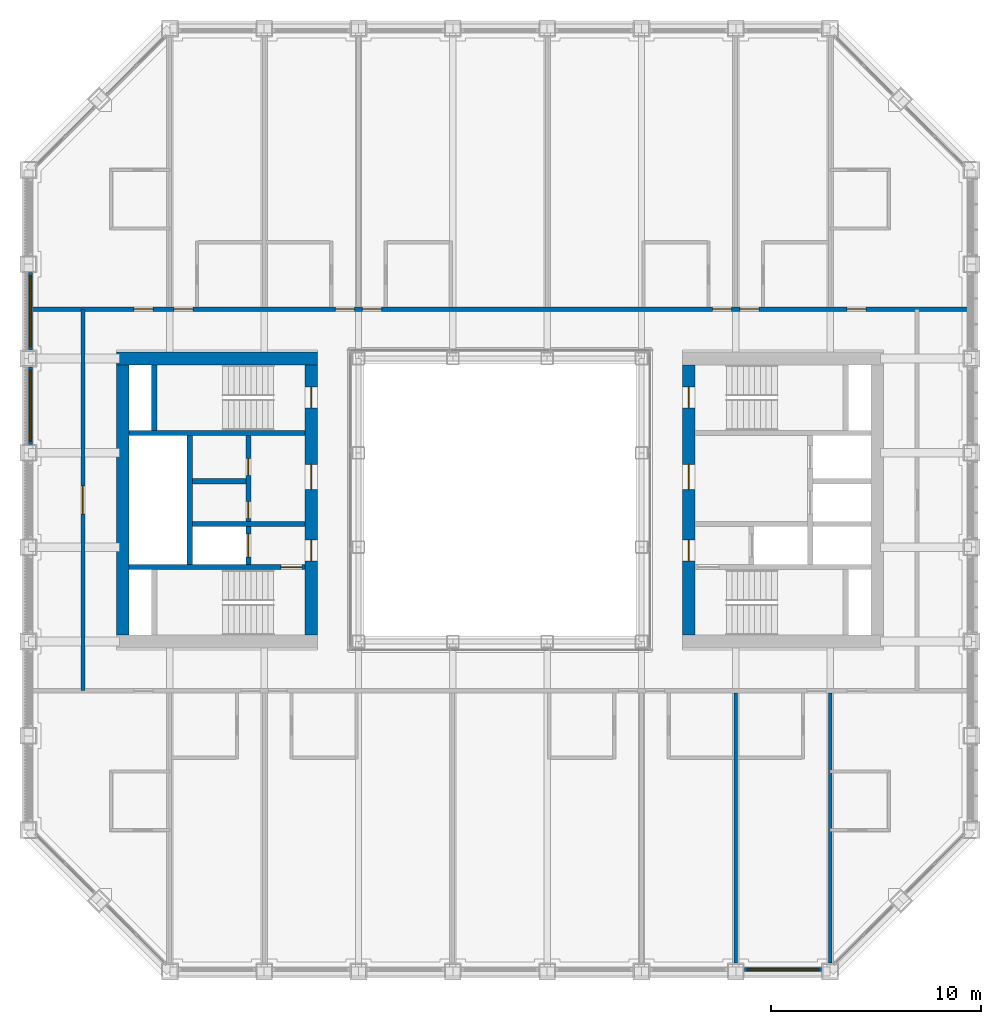
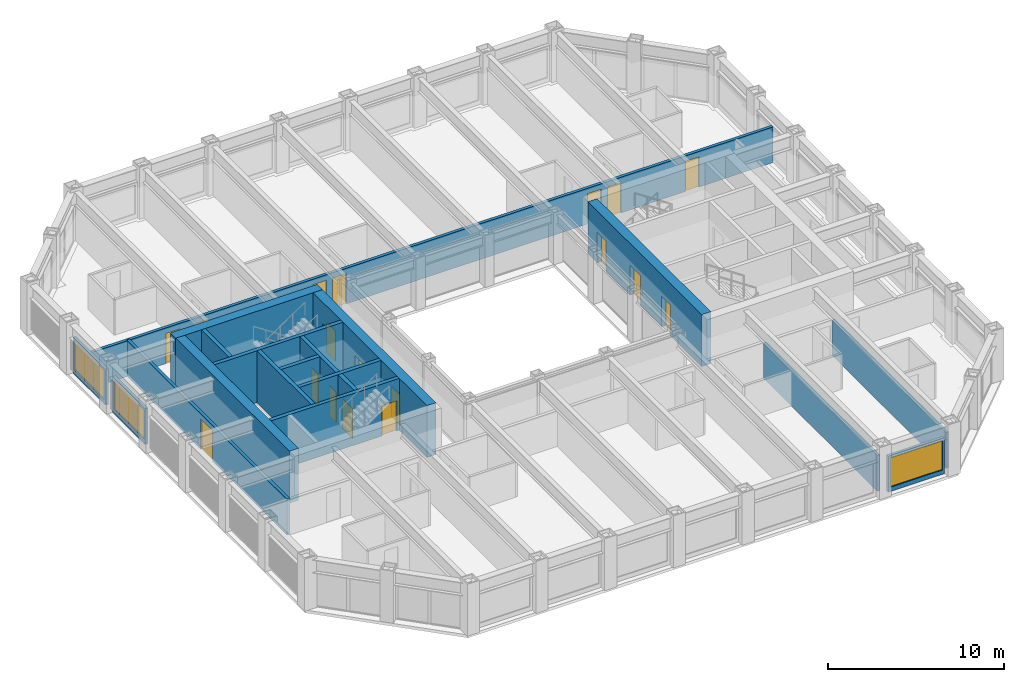
# One storey, part 11 of 17: 18 doors, 18 walls, 3 windows, 21 openings.
"""IFC4 building model written with IfcOpenShell, lengths in metres."""

from ifc_helpers import new_model, si_unit, direction, frame, frame_2d, origin, place, context, subcontext, project, spatial, rectangle, extrude, material, layer, layer_set, type_object, element, fill, save


model = new_model("IFC4")

# Units and contexts
model_context = context("Model", 3, precision=1e-05, world=origin(), true_north=direction((0.0, 1.0)))
body_context = subcontext(model_context, "Body", "Model", "MODEL_VIEW")
ifc_project = project(units=[si_unit("LENGTHUNIT", "METRE"), si_unit("AREAUNIT", "SQUARE_METRE"), si_unit("VOLUMEUNIT", "CUBIC_METRE"), si_unit("PLANEANGLEUNIT", "RADIAN"), si_unit("MASSUNIT", "GRAM", prefix="KILO")], contexts=[model_context])

# Site, building, storey
site_placement = place(None, origin())
site = spatial("IfcSite", under=ifc_project, at=site_placement, CompositionType="ELEMENT")
building_placement = place(site_placement, origin())
building = spatial("IfcBuilding", under=site, at=building_placement, Name="Msasa Ring Tower", CompositionType="ELEMENT")
storey_placement = place(building_placement, frame((0.0, 0.0, 132.800048828125)))
storey = spatial("IfcBuildingStorey", under=building, at=storey_placement, Name="L34", CompositionType="ELEMENT", Elevation=132.800048828125)

# Wall, openings, doors
ifc_material_1 = material(Name="Concrete C60/75", Category="concrete")
ifc_layer_1 = layer(ifc_material_1, 0.60009765625)
ifc_layer_set_1 = layer_set([ifc_layer_1], Name="CW2 CORE WALL 600")
wall_type_1 = type_object("IfcWallType", Name="CW2 CORE WALL 600", PredefinedType="SHEAR", material=ifc_layer_set_1)
wall_1_placement = place(storey_placement, frame((9.0, -6.449951171875, 0.0), z_axis=(0.0, 0.0, 1.0), x_axis=(0.0, 1.0, 0.0)))
wall_1 = element("IfcWall", 1, at=wall_1_placement, inside=storey, type_object=wall_type_1, Name="E core wall W L34", PredefinedType="SHEAR", context=body_context, shape_type="SweptSolid", body=[
    extrude(rectangle(XDim=12.89990234375, YDim=0.60009765625, at=frame_2d((6.449951171875, 0.0))), origin(), (0.0, 0.0, 1.0), 3.599853515625),
])
opening_1_placement = place(wall_1_placement, frame((3.550048828125, 0.0, 0.0)))
opening_1 = element("IfcOpeningElement", 2, at=opening_1_placement, cuts=wall_1, Name="Opening HB-024", PredefinedType="OPENING", context=body_context, shape_type="SweptSolid", body=[
    extrude(rectangle(XDim=1.0, YDim=2.10009765625, at=frame_2d((0.5, 1.050048828125))), frame((0.0, 0.31005859375, 0.0), z_axis=(0.0, -1.0, 0.0), x_axis=(1.0, 0.0, 0.0)), (0.0, 0.0, 1.0), 0.6201171875),
])
opening_2_placement = place(wall_1_placement, frame((6.949951171875, 0.0, 0.0)))
opening_2 = element("IfcOpeningElement", 3, at=opening_2_placement, cuts=wall_1, Name="Opening HB-019", PredefinedType="OPENING", context=body_context, shape_type="SweptSolid", body=[
    extrude(rectangle(XDim=1.199951171875, YDim=2.10009765625, at=frame_2d((0.60009765625, 1.050048828125))), frame((0.0, 0.31005859375, 0.0), z_axis=(0.0, -1.0, 0.0), x_axis=(1.0, 0.0, 0.0)), (0.0, 0.0, 1.0), 0.6201171875),
])
opening_3_placement = place(wall_1_placement, frame((10.85009765625, 0.0, 0.0)))
opening_3 = element("IfcOpeningElement", 4, at=opening_3_placement, cuts=wall_1, Name="Opening HB-016", PredefinedType="OPENING", context=body_context, shape_type="SweptSolid", body=[
    extrude(rectangle(XDim=1.0, YDim=2.10009765625, at=frame_2d((0.5, 1.050048828125))), frame((0.0, 0.31005859375, 0.0), z_axis=(0.0, -1.0, 0.0), x_axis=(1.0, 0.0, 0.0)), (0.0, 0.0, 1.0), 0.6201171875),
])
ifc_material_2 = material(Name="Timber door leaf in a steel frame", Category="steel")
door_type_1 = type_object("IfcDoorType", Name="D4 LOBBY DOOR 1000x2100", OperationType="SINGLE_SWING_LEFT", PredefinedType="DOOR", material=ifc_material_2)
door_1_placement = place(opening_1_placement, origin())
door_1 = element("IfcDoor", 5, at=door_1_placement, inside=storey, type_object=door_type_1, Name="Door L34-EFFL", OperationType="SINGLE_SWING_LEFT", OverallHeight=2.10009765625, OverallWidth=1.0, PredefinedType="DOOR", context=body_context, shape_type="SweptSolid", body=[
    extrude(rectangle(XDim=1.0, YDim=2.10009765625, at=frame_2d((0.5, 1.050048828125))), frame((0.0, 0.02490234375, 0.0), z_axis=(0.0, -1.0, 0.0), x_axis=(1.0, 0.0, 0.0)), (0.0, 0.0, 1.0), 0.050048828125),
])
fill(opening_1, door_1)
ifc_material_3 = material(Name="Timber door leaf in a steel frame", Category="steel")
door_type_2 = type_object("IfcDoorType", Name="D5 WIDE LOBBY DOOR 1200x2100", OperationType="SINGLE_SWING_LEFT", PredefinedType="DOOR", material=ifc_material_3)
door_2_placement = place(opening_2_placement, origin())
door_2 = element("IfcDoor", 6, at=door_2_placement, inside=storey, type_object=door_type_2, Name="Door L34-ELL", OperationType="SINGLE_SWING_RIGHT", OverallHeight=2.10009765625, OverallWidth=1.199951171875, PredefinedType="DOOR", context=body_context, shape_type="SweptSolid", body=[
    extrude(rectangle(XDim=1.199951171875, YDim=2.10009765625, at=frame_2d((0.60009765625, 1.050048828125))), frame((0.0, 0.02490234375, 0.0), z_axis=(0.0, -1.0, 0.0), x_axis=(1.0, 0.0, 0.0)), (0.0, 0.0, 1.0), 0.050048828125),
])
fill(opening_2, door_2)
ifc_material_4 = material(Name="Timber door leaf in a steel frame", Category="steel")
door_type_3 = type_object("IfcDoorType", Name="D6 STAIR DOOR 1000x2100", OperationType="SINGLE_SWING_LEFT", PredefinedType="DOOR", material=ifc_material_4)
door_3_placement = place(opening_3_placement, origin())
door_3 = element("IfcDoor", 7, at=door_3_placement, inside=storey, type_object=door_type_3, Name="Door L34-ESTB", OperationType="SINGLE_SWING_RIGHT", OverallHeight=2.10009765625, OverallWidth=1.0, PredefinedType="DOOR", context=body_context, shape_type="SweptSolid", body=[
    extrude(rectangle(XDim=1.0, YDim=2.10009765625, at=frame_2d((0.5, 1.050048828125))), frame((0.0, 0.02490234375, 0.0), z_axis=(0.0, -1.0, 0.0), x_axis=(1.0, 0.0, 0.0)), (0.0, 0.0, 1.0), 0.050048828125),
])
fill(opening_3, door_3)

# Wall
wall_2_placement = place(storey_placement, frame((-8.699951171875, 6.75, 0.0), z_axis=(0.0, 0.0, 1.0), x_axis=(-1.0, 0.0, 0.0)))
element("IfcWall", 8, at=wall_2_placement, inside=storey, type_object=wall_type_1, Name="W core wall N L34", PredefinedType="SHEAR", context=body_context, shape_type="SweptSolid", body=[
    extrude(rectangle(XDim=9.60009765625, YDim=0.60009765625, at=frame_2d((4.800048828125, 0.0))), origin(), (0.0, 0.0, 1.0), 3.599853515625),
])

# Wall, openings, doors
wall_3_placement = place(storey_placement, frame((-9.0, -6.449951171875, 0.0), z_axis=(0.0, 0.0, 1.0), x_axis=(0.0, 1.0, 0.0)))
wall_3 = element("IfcWall", 9, at=wall_3_placement, inside=storey, type_object=wall_type_1, Name="W core wall W L34", PredefinedType="SHEAR", context=body_context, shape_type="SweptSolid", body=[
    extrude(rectangle(XDim=12.89990234375, YDim=0.60009765625, at=frame_2d((6.449951171875, 0.0))), origin(), (0.0, 0.0, 1.0), 3.599853515625),
])
opening_4_placement = place(wall_3_placement, frame((3.550048828125, 0.0, 0.0)))
opening_4 = element("IfcOpeningElement", 10, at=opening_4_placement, cuts=wall_3, Name="Opening HB-023", PredefinedType="OPENING", context=body_context, shape_type="SweptSolid", body=[
    extrude(rectangle(XDim=1.0, YDim=2.10009765625, at=frame_2d((0.5, 1.050048828125))), frame((0.0, 0.31005859375, 0.0), z_axis=(0.0, -1.0, 0.0), x_axis=(1.0, 0.0, 0.0)), (0.0, 0.0, 1.0), 0.6201171875),
])
opening_5_placement = place(wall_3_placement, frame((6.949951171875, 0.0, 0.0)))
opening_5 = element("IfcOpeningElement", 11, at=opening_5_placement, cuts=wall_3, Name="Opening HB-018", PredefinedType="OPENING", context=body_context, shape_type="SweptSolid", body=[
    extrude(rectangle(XDim=1.199951171875, YDim=2.10009765625, at=frame_2d((0.60009765625, 1.050048828125))), frame((0.0, 0.31005859375, 0.0), z_axis=(0.0, -1.0, 0.0), x_axis=(1.0, 0.0, 0.0)), (0.0, 0.0, 1.0), 0.6201171875),
])
opening_6_placement = place(wall_3_placement, frame((10.85009765625, 0.0, 0.0)))
opening_6 = element("IfcOpeningElement", 12, at=opening_6_placement, cuts=wall_3, Name="Opening HB-015", PredefinedType="OPENING", context=body_context, shape_type="SweptSolid", body=[
    extrude(rectangle(XDim=1.0, YDim=2.10009765625, at=frame_2d((0.5, 1.050048828125))), frame((0.0, 0.31005859375, 0.0), z_axis=(0.0, -1.0, 0.0), x_axis=(1.0, 0.0, 0.0)), (0.0, 0.0, 1.0), 0.6201171875),
])
door_4_placement = place(opening_4_placement, origin())
door_4 = element("IfcDoor", 13, at=door_4_placement, inside=storey, type_object=door_type_1, Name="Door L34-WFFL", OperationType="SINGLE_SWING_LEFT", OverallHeight=2.10009765625, OverallWidth=1.0, PredefinedType="DOOR", context=body_context, shape_type="SweptSolid", body=[
    extrude(rectangle(XDim=1.0, YDim=2.10009765625, at=frame_2d((0.5, 1.050048828125))), frame((0.0, 0.02490234375, 0.0), z_axis=(0.0, -1.0, 0.0), x_axis=(1.0, 0.0, 0.0)), (0.0, 0.0, 1.0), 0.050048828125),
])
fill(opening_4, door_4)
door_5_placement = place(opening_5_placement, origin())
door_5 = element("IfcDoor", 14, at=door_5_placement, inside=storey, type_object=door_type_2, Name="Door L34-WLL", OperationType="SINGLE_SWING_RIGHT", OverallHeight=2.10009765625, OverallWidth=1.199951171875, PredefinedType="DOOR", context=body_context, shape_type="SweptSolid", body=[
    extrude(rectangle(XDim=1.199951171875, YDim=2.10009765625, at=frame_2d((0.60009765625, 1.050048828125))), frame((0.0, 0.02490234375, 0.0), z_axis=(0.0, -1.0, 0.0), x_axis=(1.0, 0.0, 0.0)), (0.0, 0.0, 1.0), 0.050048828125),
])
fill(opening_5, door_5)
door_6_placement = place(opening_6_placement, origin())
door_6 = element("IfcDoor", 15, at=door_6_placement, inside=storey, type_object=door_type_3, Name="Door L34-WSTB", OperationType="SINGLE_SWING_RIGHT", OverallHeight=2.10009765625, OverallWidth=1.0, PredefinedType="DOOR", context=body_context, shape_type="SweptSolid", body=[
    extrude(rectangle(XDim=1.0, YDim=2.10009765625, at=frame_2d((0.5, 1.050048828125))), frame((0.0, 0.02490234375, 0.0), z_axis=(0.0, -1.0, 0.0), x_axis=(1.0, 0.0, 0.0)), (0.0, 0.0, 1.0), 0.050048828125),
])
fill(opening_6, door_6)

# Wall
wall_4_placement = place(storey_placement, frame((-18.0, -6.449951171875, 0.0), z_axis=(0.0, 0.0, 1.0), x_axis=(0.0, 1.0, 0.0)))
element("IfcWall", 16, at=wall_4_placement, inside=storey, type_object=wall_type_1, Name="W core wall E L34", PredefinedType="SHEAR", context=body_context, shape_type="SweptSolid", body=[
    extrude(rectangle(XDim=12.89990234375, YDim=0.60009765625, at=frame_2d((6.449951171875, 0.0))), origin(), (0.0, 0.0, 1.0), 3.599853515625),
])

# Wall, opening, door
ifc_material_5 = material(Name="Concrete C60/75", Category="concrete")
ifc_layer_2 = layer(ifc_material_5, 0.25)
ifc_layer_set_2 = layer_set([ifc_layer_2], Name="CW4 CORE INNER WALL 250")
wall_type_2 = type_object("IfcWallType", Name="CW4 CORE INNER WALL 250", PredefinedType="SHEAR", material=ifc_layer_set_2)
wall_5_placement = place(storey_placement, frame((-9.300048828125, -3.199951171875, 0.0), z_axis=(0.0, 0.0, 1.0), x_axis=(-1.0, 0.0, 0.0)))
wall_5 = element("IfcWall", 17, at=wall_5_placement, inside=storey, type_object=wall_type_2, Name="W core wall STAIRA L34", PredefinedType="SHEAR", context=body_context, shape_type="SweptSolid", body=[
    extrude(rectangle(XDim=8.39990234375, YDim=0.25, at=frame_2d((4.199951171875, 0.0))), origin(), (0.0, 0.0, 1.0), 3.599853515625),
])
opening_7_placement = place(wall_5_placement, frame((0.14990234375, 0.0, 0.0)))
opening_7 = element("IfcOpeningElement", 18, at=opening_7_placement, cuts=wall_5, Name="Opening HB-025", PredefinedType="OPENING", context=body_context, shape_type="SweptSolid", body=[
    extrude(rectangle(XDim=1.0, YDim=2.10009765625, at=frame_2d((0.5, 1.050048828125))), frame((0.0, 0.135009765625, 0.0), z_axis=(0.0, -1.0, 0.0), x_axis=(1.0, 0.0, 0.0)), (0.0, 0.0, 1.0), 0.27001953125),
])
door_7_placement = place(opening_7_placement, origin())
door_7 = element("IfcDoor", 19, at=door_7_placement, inside=storey, type_object=door_type_3, Name="Door L34-WSTA", OperationType="SINGLE_SWING_LEFT", OverallHeight=2.10009765625, OverallWidth=1.0, PredefinedType="DOOR", context=body_context, shape_type="SweptSolid", body=[
    extrude(rectangle(XDim=1.0, YDim=2.10009765625, at=frame_2d((0.5, 1.050048828125))), frame((0.0, 0.02490234375, 0.0), z_axis=(0.0, -1.0, 0.0), x_axis=(1.0, 0.0, 0.0)), (0.0, 0.0, 1.0), 0.050048828125),
])
fill(opening_7, door_7)

# Walls
wall_6_placement = place(storey_placement, frame((-9.300048828125, 3.199951171875, 0.0), z_axis=(0.0, 0.0, 1.0), x_axis=(-1.0, 0.0, 0.0)))
element("IfcWall", 20, at=wall_6_placement, inside=storey, type_object=wall_type_2, Name="W core wall STAIRB L34", PredefinedType="SHEAR", context=body_context, shape_type="SweptSolid", body=[
    extrude(rectangle(XDim=8.39990234375, YDim=0.25, at=frame_2d((4.199951171875, 0.0))), origin(), (0.0, 0.0, 1.0), 3.599853515625),
])
wall_7_placement = place(storey_placement, frame((-16.5, 3.324951171875, 0.0), z_axis=(0.0, 0.0, 1.0), x_axis=(0.0, 1.0, 0.0)))
element("IfcWall", 21, at=wall_7_placement, inside=storey, type_object=wall_type_2, Name="W core wall RISERB L34", PredefinedType="SHEAR", context=body_context, shape_type="SweptSolid", body=[
    extrude(rectangle(XDim=3.125, YDim=0.25, at=frame_2d((1.5625, 0.0))), origin(), (0.0, 0.0, 1.0), 3.599853515625),
])
wall_8_placement = place(storey_placement, frame((-9.300048828125, -1.14990234375, 0.0), z_axis=(0.0, 0.0, 1.0), x_axis=(-1.0, 0.0, 0.0)))
element("IfcWall", 22, at=wall_8_placement, inside=storey, type_object=wall_type_2, Name="W core wall FFL L34", PredefinedType="SHEAR", context=body_context, shape_type="SweptSolid", body=[
    extrude(rectangle(XDim=5.375, YDim=0.25, at=frame_2d((2.6875, 0.0))), origin(), (0.0, 0.0, 1.0), 3.599853515625),
])

# Wall, openings, doors
wall_9_placement = place(storey_placement, frame((-12.0, -3.074951171875, 0.0), z_axis=(0.0, 0.0, 1.0), x_axis=(0.0, 1.0, 0.0)))
wall_9 = element("IfcWall", 23, at=wall_9_placement, inside=storey, type_object=wall_type_2, Name="W core wall LOBBY L34", PredefinedType="SHEAR", context=body_context, shape_type="SweptSolid", body=[
    extrude(rectangle(XDim=6.14990234375, YDim=0.25, at=frame_2d((3.074951171875, 0.0))), origin(), (0.0, 0.0, 1.0), 3.599853515625),
])
opening_8_placement = place(wall_9_placement, frame((2.199951171875, 0.0, 0.0)))
opening_8 = element("IfcOpeningElement", 24, at=opening_8_placement, cuts=wall_9, Name="Opening HB-022", PredefinedType="OPENING", context=body_context, shape_type="SweptSolid", body=[
    extrude(rectangle(XDim=0.800048828125, YDim=2.10009765625, at=frame_2d((0.39990234375, 1.050048828125))), frame((0.0, 0.135009765625, 0.0), z_axis=(0.0, -1.0, 0.0), x_axis=(1.0, 0.0, 0.0)), (0.0, 0.0, 1.0), 0.27001953125),
])
opening_9_placement = place(wall_9_placement, frame((4.25, 0.0, 0.0)))
opening_9 = element("IfcOpeningElement", 25, at=opening_9_placement, cuts=wall_9, Name="Opening HB-017", PredefinedType="OPENING", context=body_context, shape_type="SweptSolid", body=[
    extrude(rectangle(XDim=0.800048828125, YDim=2.10009765625, at=frame_2d((0.39990234375, 1.050048828125))), frame((0.0, 0.135009765625, 0.0), z_axis=(0.0, -1.0, 0.0), x_axis=(1.0, 0.0, 0.0)), (0.0, 0.0, 1.0), 0.27001953125),
])
opening_10_placement = place(wall_9_placement, frame((0.35009765625, 0.0, 0.0)))
opening_10 = element("IfcOpeningElement", 26, at=opening_10_placement, cuts=wall_9, Name="Opening LD1", PredefinedType="OPENING", context=body_context, shape_type="SweptSolid", body=[
    extrude(rectangle(XDim=1.10009765625, YDim=2.10009765625, at=frame_2d((0.550048828125, 1.050048828125))), frame((0.0, 0.135009765625, 0.0), z_axis=(0.0, -1.0, 0.0), x_axis=(1.0, 0.0, 0.0)), (0.0, 0.0, 1.0), 0.27001953125),
])
ifc_material_6 = material(Name="Timber door leaf in a steel frame", Category="steel")
door_type_4 = type_object("IfcDoorType", Name="D9 NARROW SERVICE DOOR 800x2100", OperationType="SINGLE_SWING_LEFT", PredefinedType="DOOR", material=ifc_material_6)
door_8_placement = place(opening_8_placement, origin())
door_8 = element("IfcDoor", 27, at=door_8_placement, inside=storey, type_object=door_type_4, Name="Door L34-WR1", OperationType="SINGLE_SWING_LEFT", OverallHeight=2.10009765625, OverallWidth=0.800048828125, PredefinedType="DOOR", context=body_context, shape_type="SweptSolid", body=[
    extrude(rectangle(XDim=0.800048828125, YDim=2.10009765625, at=frame_2d((0.39990234375, 1.050048828125))), frame((0.0, 0.02490234375, 0.0), z_axis=(0.0, -1.0, 0.0), x_axis=(1.0, 0.0, 0.0)), (0.0, 0.0, 1.0), 0.050048828125),
])
fill(opening_8, door_8)
door_9_placement = place(opening_9_placement, origin())
door_9 = element("IfcDoor", 28, at=door_9_placement, inside=storey, type_object=door_type_4, Name="Door L34-WR2", OperationType="SINGLE_SWING_RIGHT", OverallHeight=2.10009765625, OverallWidth=0.800048828125, PredefinedType="DOOR", context=body_context, shape_type="SweptSolid", body=[
    extrude(rectangle(XDim=0.800048828125, YDim=2.10009765625, at=frame_2d((0.39990234375, 1.050048828125))), frame((0.0, 0.02490234375, 0.0), z_axis=(0.0, -1.0, 0.0), x_axis=(1.0, 0.0, 0.0)), (0.0, 0.0, 1.0), 0.050048828125),
])
fill(opening_9, door_9)
ifc_material_7 = material(Name="Stainless steel lift landing door", Category="steel")
door_type_5 = type_object("IfcDoorType", Name="LD1 LIFT LANDING DOOR 1100x2100", OperationType="DOUBLE_DOOR_SLIDING", PredefinedType="DOOR", material=ifc_material_7)
door_10_placement = place(opening_10_placement, origin())
door_10 = element("IfcDoor", 29, at=door_10_placement, inside=storey, type_object=door_type_5, Name="Lift landing door FL-W L34", OperationType="DOUBLE_DOOR_SLIDING", OverallHeight=2.10009765625, OverallWidth=1.10009765625, PredefinedType="DOOR", context=body_context, shape_type="SweptSolid", body=[
    extrude(rectangle(XDim=1.10009765625, YDim=2.10009765625, at=frame_2d((0.550048828125, 1.050048828125))), frame((0.0, 0.02490234375, 0.0), z_axis=(0.0, -1.0, 0.0), x_axis=(1.0, 0.0, 0.0)), (0.0, 0.0, 1.0), 0.050048828125),
])
fill(opening_10, door_10)

# Walls
wall_10_placement = place(storey_placement, frame((-14.800048828125, -3.074951171875, 0.0), z_axis=(0.0, 0.0, 1.0), x_axis=(0.0, 1.0, 0.0)))
element("IfcWall", 30, at=wall_10_placement, inside=storey, type_object=wall_type_2, Name="W core wall SHAFT L34", PredefinedType="SHEAR", context=body_context, shape_type="SweptSolid", body=[
    extrude(rectangle(XDim=6.14990234375, YDim=0.25, at=frame_2d((3.074951171875, 0.0))), origin(), (0.0, 0.0, 1.0), 3.599853515625),
])
wall_11_placement = place(storey_placement, frame((-12.125, 0.89990234375, 0.0), z_axis=(0.0, 0.0, 1.0), x_axis=(-1.0, 0.0, 0.0)))
element("IfcWall", 31, at=wall_11_placement, inside=storey, type_object=wall_type_2, Name="W core wall LIFT1 L34", PredefinedType="SHEAR", context=body_context, shape_type="SweptSolid", body=[
    extrude(rectangle(XDim=2.550048828125, YDim=0.25, at=frame_2d((1.27490234375, 0.0))), origin(), (0.0, 0.0, 1.0), 3.599853515625),
])

# Wall, opening, window
ifc_material_8 = material(Name="Terracotta rainscreen on blockwork", Category="masonry")
ifc_layer_3 = layer(ifc_material_8, 0.199951171875)
ifc_layer_set_3 = layer_set([ifc_layer_3], Name="FW1 TERRACOTTA-LINED INFILL BAY WALL 200")
wall_type_3 = type_object("IfcWallType", Name="FW1 TERRACOTTA-LINED INFILL BAY WALL 200", PredefinedType="SOLIDWALL", material=ifc_layer_set_3)
wall_12_placement = place(storey_placement, frame((11.655029296875, -22.39990234375, 0.0), z_axis=(0.0, 0.0, 1.0), x_axis=(1.0, 0.0, 0.0)))
wall_12 = element("IfcWall", 32, at=wall_12_placement, inside=storey, type_object=wall_type_3, Name="Infill bay wall S L34 06", PredefinedType="SOLIDWALL", context=body_context, shape_type="SweptSolid", body=[
    extrude(rectangle(XDim=3.68994140625, YDim=0.199951171875, at=frame_2d((1.844970703125, 0.0))), origin(), (0.0, 0.0, 1.0), 2.47900390625),
])
opening_11_placement = place(wall_12_placement, frame((0.14501953125, 0.0, 0.300048828125)))
opening_11 = element("IfcOpeningElement", 33, at=opening_11_placement, cuts=wall_12, Name="Opening WN2", PredefinedType="OPENING", context=body_context, shape_type="SweptSolid", body=[
    extrude(rectangle(XDim=3.39990234375, YDim=2.029052734375, at=frame_2d((1.699951171875, 1.0146484375))), frame((0.0, 0.10986328125, 0.0), z_axis=(0.0, -1.0, 0.0), x_axis=(1.0, 0.0, 0.0)), (0.0, 0.0, 1.0), 0.219970703125),
])
ifc_material_9 = material(Name="Aluminium frame with clear glass", Category="aluminium")
window_type = type_object("IfcWindowType", Name="WN2 GUEST ROOM WINDOW 3400x2029", PartitioningType="SINGLE_PANEL", PredefinedType="WINDOW", material=ifc_material_9)
window_1_placement = place(opening_11_placement, origin())
window_1 = element("IfcWindow", 34, at=window_1_placement, inside=storey, type_object=window_type, Name="Window S L34 06", OverallHeight=2.029052734375, OverallWidth=3.39990234375, PartitioningType="SINGLE_PANEL", PredefinedType="WINDOW", context=body_context, shape_type="SweptSolid", body=[
    extrude(rectangle(XDim=3.39990234375, YDim=2.029052734375, at=frame_2d((1.699951171875, 1.0146484375))), frame((0.0, 0.030029296875, 0.0), z_axis=(0.0, -1.0, 0.0), x_axis=(1.0, 0.0, 0.0)), (0.0, 0.0, 1.0), 0.06005859375),
])
fill(opening_11, window_1)

wall_13_placement = place(storey_placement, frame((-22.39990234375, 2.655029296875, 0.0), z_axis=(0.0, 0.0, 1.0), x_axis=(0.0, 1.0, 0.0)))
wall_13 = element("IfcWall", 35, at=wall_13_placement, inside=storey, type_object=wall_type_3, Name="Infill bay wall W L34 31", PredefinedType="SOLIDWALL", context=body_context, shape_type="SweptSolid", body=[
    extrude(rectangle(XDim=3.68994140625, YDim=0.199951171875, at=frame_2d((1.844970703125, 0.0))), origin(), (0.0, 0.0, 1.0), 2.47900390625),
])
opening_12_placement = place(wall_13_placement, frame((0.14501953125, 0.0, 0.300048828125)))
opening_12 = element("IfcOpeningElement", 36, at=opening_12_placement, cuts=wall_13, Name="Opening WN2", PredefinedType="OPENING", context=body_context, shape_type="SweptSolid", body=[
    extrude(rectangle(XDim=3.39990234375, YDim=2.029052734375, at=frame_2d((1.699951171875, 1.0146484375))), frame((0.0, 0.10986328125, 0.0), z_axis=(0.0, -1.0, 0.0), x_axis=(1.0, 0.0, 0.0)), (0.0, 0.0, 1.0), 0.219970703125),
])
window_2_placement = place(opening_12_placement, origin())
window_2 = element("IfcWindow", 37, at=window_2_placement, inside=storey, type_object=window_type, Name="Window W L34 31", OverallHeight=2.029052734375, OverallWidth=3.39990234375, PartitioningType="SINGLE_PANEL", PredefinedType="WINDOW", context=body_context, shape_type="SweptSolid", body=[
    extrude(rectangle(XDim=3.39990234375, YDim=2.029052734375, at=frame_2d((1.699951171875, 1.0146484375))), frame((0.0, 0.030029296875, 0.0), z_axis=(0.0, -1.0, 0.0), x_axis=(1.0, 0.0, 0.0)), (0.0, 0.0, 1.0), 0.06005859375),
])
fill(opening_12, window_2)

wall_14_placement = place(storey_placement, frame((-22.39990234375, 7.155029296875, 0.0), z_axis=(0.0, 0.0, 1.0), x_axis=(0.0, 1.0, 0.0)))
wall_14 = element("IfcWall", 38, at=wall_14_placement, inside=storey, type_object=wall_type_3, Name="Infill bay wall W L34 32", PredefinedType="SOLIDWALL", context=body_context, shape_type="SweptSolid", body=[
    extrude(rectangle(XDim=3.68994140625, YDim=0.199951171875, at=frame_2d((1.844970703125, 0.0))), origin(), (0.0, 0.0, 1.0), 2.47900390625),
])
opening_13_placement = place(wall_14_placement, frame((0.14501953125, 0.0, 0.300048828125)))
opening_13 = element("IfcOpeningElement", 39, at=opening_13_placement, cuts=wall_14, Name="Opening WN2", PredefinedType="OPENING", context=body_context, shape_type="SweptSolid", body=[
    extrude(rectangle(XDim=3.39990234375, YDim=2.029052734375, at=frame_2d((1.699951171875, 1.0146484375))), frame((0.0, 0.10986328125, 0.0), z_axis=(0.0, -1.0, 0.0), x_axis=(1.0, 0.0, 0.0)), (0.0, 0.0, 1.0), 0.219970703125),
])
window_3_placement = place(opening_13_placement, origin())
window_3 = element("IfcWindow", 40, at=window_3_placement, inside=storey, type_object=window_type, Name="Window W L34 32", OverallHeight=2.029052734375, OverallWidth=3.39990234375, PartitioningType="SINGLE_PANEL", PredefinedType="WINDOW", context=body_context, shape_type="SweptSolid", body=[
    extrude(rectangle(XDim=3.39990234375, YDim=2.029052734375, at=frame_2d((1.699951171875, 1.0146484375))), frame((0.0, 0.030029296875, 0.0), z_axis=(0.0, -1.0, 0.0), x_axis=(1.0, 0.0, 0.0)), (0.0, 0.0, 1.0), 0.06005859375),
])
fill(opening_13, window_3)

# Wall, openings, doors
ifc_material_10 = material(Name="Concrete blockwork", Category="masonry")
ifc_layer_4 = layer(ifc_material_10, 0.199951171875)
ifc_layer_set_4 = layer_set([ifc_layer_4], Name="PT1 CORRIDOR WALL 200")
wall_type_4 = type_object("IfcWallType", Name="PT1 CORRIDOR WALL 200", PredefinedType="PARTITIONING", material=ifc_layer_set_4)
wall_15_placement = place(storey_placement, frame((-22.300048828125, 9.10009765625, 0.0), z_axis=(0.0, 0.0, 1.0), x_axis=(1.0, 0.0, 0.0)))
wall_15 = element("IfcWall", 41, at=wall_15_placement, inside=storey, type_object=wall_type_4, Name="Corridor wall L34-CORRN0", PredefinedType="PARTITIONING", context=body_context, shape_type="SweptSolid", body=[
    extrude(rectangle(XDim=44.60009765625, YDim=0.199951171875, at=frame_2d((22.300048828125, 0.0))), origin(), (0.0, 0.0, 1.0), 2.473388671875),
])
opening_14_placement = place(wall_15_placement, frame((6.75, 0.0, 0.0)))
opening_14 = element("IfcOpeningElement", 42, at=opening_14_placement, cuts=wall_15, Name="Opening HB-009", PredefinedType="OPENING", context=body_context, shape_type="SweptSolid", body=[
    extrude(rectangle(XDim=0.89990234375, YDim=2.10009765625, at=frame_2d((0.449951171875, 1.050048828125))), frame((0.0, 0.10986328125, 0.0), z_axis=(0.0, -1.0, 0.0), x_axis=(1.0, 0.0, 0.0)), (0.0, 0.0, 1.0), 0.219970703125),
])
opening_15_placement = place(wall_15_placement, frame((14.449951171875, 0.0, 0.0)))
opening_15 = element("IfcOpeningElement", 43, at=opening_15_placement, cuts=wall_15, Name="Opening HB-010", PredefinedType="OPENING", context=body_context, shape_type="SweptSolid", body=[
    extrude(rectangle(XDim=0.89990234375, YDim=2.10009765625, at=frame_2d((0.449951171875, 1.050048828125))), frame((0.0, 0.10986328125, 0.0), z_axis=(0.0, -1.0, 0.0), x_axis=(1.0, 0.0, 0.0)), (0.0, 0.0, 1.0), 0.219970703125),
])
opening_16_placement = place(wall_15_placement, frame((15.75, 0.0, 0.0)))
opening_16 = element("IfcOpeningElement", 44, at=opening_16_placement, cuts=wall_15, Name="Opening HB-011", PredefinedType="OPENING", context=body_context, shape_type="SweptSolid", body=[
    extrude(rectangle(XDim=0.89990234375, YDim=2.10009765625, at=frame_2d((0.449951171875, 1.050048828125))), frame((0.0, 0.10986328125, 0.0), z_axis=(0.0, -1.0, 0.0), x_axis=(1.0, 0.0, 0.0)), (0.0, 0.0, 1.0), 0.219970703125),
])
opening_17_placement = place(wall_15_placement, frame((32.449951171875, 0.0, 0.0)))
opening_17 = element("IfcOpeningElement", 45, at=opening_17_placement, cuts=wall_15, Name="Opening HB-012", PredefinedType="OPENING", context=body_context, shape_type="SweptSolid", body=[
    extrude(rectangle(XDim=0.89990234375, YDim=2.10009765625, at=frame_2d((0.449951171875, 1.050048828125))), frame((0.0, 0.10986328125, 0.0), z_axis=(0.0, -1.0, 0.0), x_axis=(1.0, 0.0, 0.0)), (0.0, 0.0, 1.0), 0.219970703125),
])
opening_18_placement = place(wall_15_placement, frame((33.75, 0.0, 0.0)))
opening_18 = element("IfcOpeningElement", 46, at=opening_18_placement, cuts=wall_15, Name="Opening HB-013", PredefinedType="OPENING", context=body_context, shape_type="SweptSolid", body=[
    extrude(rectangle(XDim=0.89990234375, YDim=2.10009765625, at=frame_2d((0.449951171875, 1.050048828125))), frame((0.0, 0.10986328125, 0.0), z_axis=(0.0, -1.0, 0.0), x_axis=(1.0, 0.0, 0.0)), (0.0, 0.0, 1.0), 0.219970703125),
])
opening_19_placement = place(wall_15_placement, frame((38.85009765625, 0.0, 0.0)))
opening_19 = element("IfcOpeningElement", 47, at=opening_19_placement, cuts=wall_15, Name="Opening HB-014", PredefinedType="OPENING", context=body_context, shape_type="SweptSolid", body=[
    extrude(rectangle(XDim=0.89990234375, YDim=2.10009765625, at=frame_2d((0.449951171875, 1.050048828125))), frame((0.0, 0.10986328125, 0.0), z_axis=(0.0, -1.0, 0.0), x_axis=(1.0, 0.0, 0.0)), (0.0, 0.0, 1.0), 0.219970703125),
])
opening_20_placement = place(wall_15_placement, frame((4.85009765625, 0.0, 0.0)))
opening_20 = element("IfcOpeningElement", 48, at=opening_20_placement, cuts=wall_15, Name="Opening HB-008", PredefinedType="OPENING", context=body_context, shape_type="SweptSolid", body=[
    extrude(rectangle(XDim=0.89990234375, YDim=2.10009765625, at=frame_2d((0.449951171875, 1.050048828125))), frame((0.0, 0.10986328125, 0.0), z_axis=(0.0, -1.0, 0.0), x_axis=(1.0, 0.0, 0.0)), (0.0, 0.0, 1.0), 0.219970703125),
])
ifc_material_11 = material(Name="Timber door leaf in a steel frame", Category="steel")
door_type_6 = type_object("IfcDoorType", Name="D1 SINGLE DOOR TO CORRIDOR 900x2100", OperationType="SINGLE_SWING_LEFT", PredefinedType="DOOR", material=ifc_material_11)
door_11_placement = place(opening_14_placement, origin())
door_11 = element("IfcDoor", 49, at=door_11_placement, inside=storey, type_object=door_type_6, Name="Door L34-GN00", OperationType="SINGLE_SWING_LEFT", OverallHeight=2.10009765625, OverallWidth=0.89990234375, PredefinedType="DOOR", context=body_context, shape_type="SweptSolid", body=[
    extrude(rectangle(XDim=0.89990234375, YDim=2.10009765625, at=frame_2d((0.449951171875, 1.050048828125))), frame((0.0, 0.02490234375, 0.0), z_axis=(0.0, -1.0, 0.0), x_axis=(1.0, 0.0, 0.0)), (0.0, 0.0, 1.0), 0.050048828125),
])
fill(opening_14, door_11)
door_12_placement = place(opening_15_placement, origin())
door_12 = element("IfcDoor", 50, at=door_12_placement, inside=storey, type_object=door_type_6, Name="Door L34-GN01", OperationType="SINGLE_SWING_LEFT", OverallHeight=2.10009765625, OverallWidth=0.89990234375, PredefinedType="DOOR", context=body_context, shape_type="SweptSolid", body=[
    extrude(rectangle(XDim=0.89990234375, YDim=2.10009765625, at=frame_2d((0.449951171875, 1.050048828125))), frame((0.0, 0.02490234375, 0.0), z_axis=(0.0, -1.0, 0.0), x_axis=(1.0, 0.0, 0.0)), (0.0, 0.0, 1.0), 0.050048828125),
])
fill(opening_15, door_12)
door_13_placement = place(opening_16_placement, origin())
door_13 = element("IfcDoor", 51, at=door_13_placement, inside=storey, type_object=door_type_6, Name="Door L34-GN02", OperationType="SINGLE_SWING_LEFT", OverallHeight=2.10009765625, OverallWidth=0.89990234375, PredefinedType="DOOR", context=body_context, shape_type="SweptSolid", body=[
    extrude(rectangle(XDim=0.89990234375, YDim=2.10009765625, at=frame_2d((0.449951171875, 1.050048828125))), frame((0.0, 0.02490234375, 0.0), z_axis=(0.0, -1.0, 0.0), x_axis=(1.0, 0.0, 0.0)), (0.0, 0.0, 1.0), 0.050048828125),
])
fill(opening_16, door_13)
door_14_placement = place(opening_17_placement, origin())
door_14 = element("IfcDoor", 52, at=door_14_placement, inside=storey, type_object=door_type_6, Name="Door L34-GN03", OperationType="SINGLE_SWING_RIGHT", OverallHeight=2.10009765625, OverallWidth=0.89990234375, PredefinedType="DOOR", context=body_context, shape_type="SweptSolid", body=[
    extrude(rectangle(XDim=0.89990234375, YDim=2.10009765625, at=frame_2d((0.449951171875, 1.050048828125))), frame((0.0, 0.02490234375, 0.0), z_axis=(0.0, -1.0, 0.0), x_axis=(1.0, 0.0, 0.0)), (0.0, 0.0, 1.0), 0.050048828125),
])
fill(opening_17, door_14)
door_15_placement = place(opening_18_placement, origin())
door_15 = element("IfcDoor", 53, at=door_15_placement, inside=storey, type_object=door_type_6, Name="Door L34-GN04", OperationType="SINGLE_SWING_RIGHT", OverallHeight=2.10009765625, OverallWidth=0.89990234375, PredefinedType="DOOR", context=body_context, shape_type="SweptSolid", body=[
    extrude(rectangle(XDim=0.89990234375, YDim=2.10009765625, at=frame_2d((0.449951171875, 1.050048828125))), frame((0.0, 0.02490234375, 0.0), z_axis=(0.0, -1.0, 0.0), x_axis=(1.0, 0.0, 0.0)), (0.0, 0.0, 1.0), 0.050048828125),
])
fill(opening_18, door_15)
ifc_material_12 = material(Name="Timber door leaf in a steel frame", Category="steel")
door_type_7 = type_object("IfcDoorType", Name="D2 ENTRANCE DOOR 900x2100", OperationType="SINGLE_SWING_LEFT", PredefinedType="DOOR", material=ifc_material_12)
door_16_placement = place(opening_19_placement, origin())
door_16 = element("IfcDoor", 54, at=door_16_placement, inside=storey, type_object=door_type_7, Name="Door L34-CSNE", OperationType="SINGLE_SWING_RIGHT", OverallHeight=2.10009765625, OverallWidth=0.89990234375, PredefinedType="DOOR", context=body_context, shape_type="SweptSolid", body=[
    extrude(rectangle(XDim=0.89990234375, YDim=2.10009765625, at=frame_2d((0.449951171875, 1.050048828125))), frame((0.0, 0.02490234375, 0.0), z_axis=(0.0, -1.0, 0.0), x_axis=(1.0, 0.0, 0.0)), (0.0, 0.0, 1.0), 0.050048828125),
])
fill(opening_19, door_16)
door_17_placement = place(opening_20_placement, origin())
door_17 = element("IfcDoor", 55, at=door_17_placement, inside=storey, type_object=door_type_7, Name="Door L34-CSNW", OperationType="SINGLE_SWING_LEFT", OverallHeight=2.10009765625, OverallWidth=0.89990234375, PredefinedType="DOOR", context=body_context, shape_type="SweptSolid", body=[
    extrude(rectangle(XDim=0.89990234375, YDim=2.10009765625, at=frame_2d((0.449951171875, 1.050048828125))), frame((0.0, 0.02490234375, 0.0), z_axis=(0.0, -1.0, 0.0), x_axis=(1.0, 0.0, 0.0)), (0.0, 0.0, 1.0), 0.050048828125),
])
fill(opening_20, door_17)

# Wall, opening, door
wall_16_placement = place(storey_placement, frame((-19.89990234375, -9.10009765625, 0.0), z_axis=(0.0, 0.0, 1.0), x_axis=(0.0, 1.0, 0.0)))
wall_16 = element("IfcWall", 56, at=wall_16_placement, inside=storey, type_object=wall_type_4, Name="Corridor wall L34-STRW", PredefinedType="PARTITIONING", context=body_context, shape_type="SweptSolid", body=[
    extrude(rectangle(XDim=18.2001953125, YDim=0.199951171875, at=frame_2d((9.10009765625, 0.0))), origin(), (0.0, 0.0, 1.0), 2.473388671875),
])
opening_21_placement = place(wall_16_placement, frame((8.425048828125, 0.0, 0.0)))
opening_21 = element("IfcOpeningElement", 57, at=opening_21_placement, cuts=wall_16, Name="Opening HB-020", PredefinedType="OPENING", context=body_context, shape_type="SweptSolid", body=[
    extrude(rectangle(XDim=1.35009765625, YDim=2.10009765625, at=frame_2d((0.675048828125, 1.050048828125))), frame((0.0, 0.10986328125, 0.0), z_axis=(0.0, -1.0, 0.0), x_axis=(1.0, 0.0, 0.0)), (0.0, 0.0, 1.0), 0.219970703125),
])
ifc_material_13 = material(Name="Timber door leaf in a steel frame", Category="steel")
door_type_8 = type_object("IfcDoorType", Name="D23 HOUSEKEEPING UNEQUAL PAIR OF DOORS 1350x2100", OperationType="SINGLE_SWING_LEFT", PredefinedType="DOOR", material=ifc_material_13)
door_18_placement = place(opening_21_placement, origin())
door_18 = element("IfcDoor", 58, at=door_18_placement, inside=storey, type_object=door_type_8, Name="Door L34-HKW", OperationType="SINGLE_SWING_LEFT", OverallHeight=2.10009765625, OverallWidth=1.35009765625, PredefinedType="DOOR", context=body_context, shape_type="SweptSolid", body=[
    extrude(rectangle(XDim=1.35009765625, YDim=2.10009765625, at=frame_2d((0.675048828125, 1.050048828125))), frame((0.0, 0.02490234375, 0.0), z_axis=(0.0, -1.0, 0.0), x_axis=(1.0, 0.0, 0.0)), (0.0, 0.0, 1.0), 0.050048828125),
])
fill(opening_21, door_18)

# Walls
ifc_material_14 = material(Name="Twin steel studs, two layers of acoustic board each face, mineral wool", Category="steel")
ifc_layer_5 = layer(ifc_material_14, 0.175048828125)
ifc_layer_set_5 = layer_set([ifc_layer_5], Name="PT5 GUEST ROOM SEPARATING WALL 175")
wall_type_5 = type_object("IfcWallType", Name="PT5 GUEST ROOM SEPARATING WALL 175", PredefinedType="PARTITIONING", material=ifc_layer_set_5)
for number, where, z_axis, x_axis, name in (
    (59, (11.25, -22.10009765625, 0.0), (0.0, 0.0, 1.0), (0.0, 1.0, 0.0), "Partition L34-PWS+11.25"),
    (60, (15.75, -22.10009765625, 0.0), (0.0, 0.0, 1.0), (0.0, 1.0, 0.0), "Partition L34-PWS+15.75"),
):
    element("IfcWall", number, at=place(storey_placement, frame(where, z_axis=z_axis, x_axis=x_axis)), inside=storey, type_object=wall_type_5, Name=name, PredefinedType="PARTITIONING", context=body_context, shape_type="SweptSolid", body=[
        extrude(rectangle(XDim=12.900146484375, YDim=0.175048828125, at=frame_2d((6.4501953125, 0.0))), origin(), (0.0, 0.0, 1.0), 2.473388671875),
    ])

save(model, "model.ifc")
